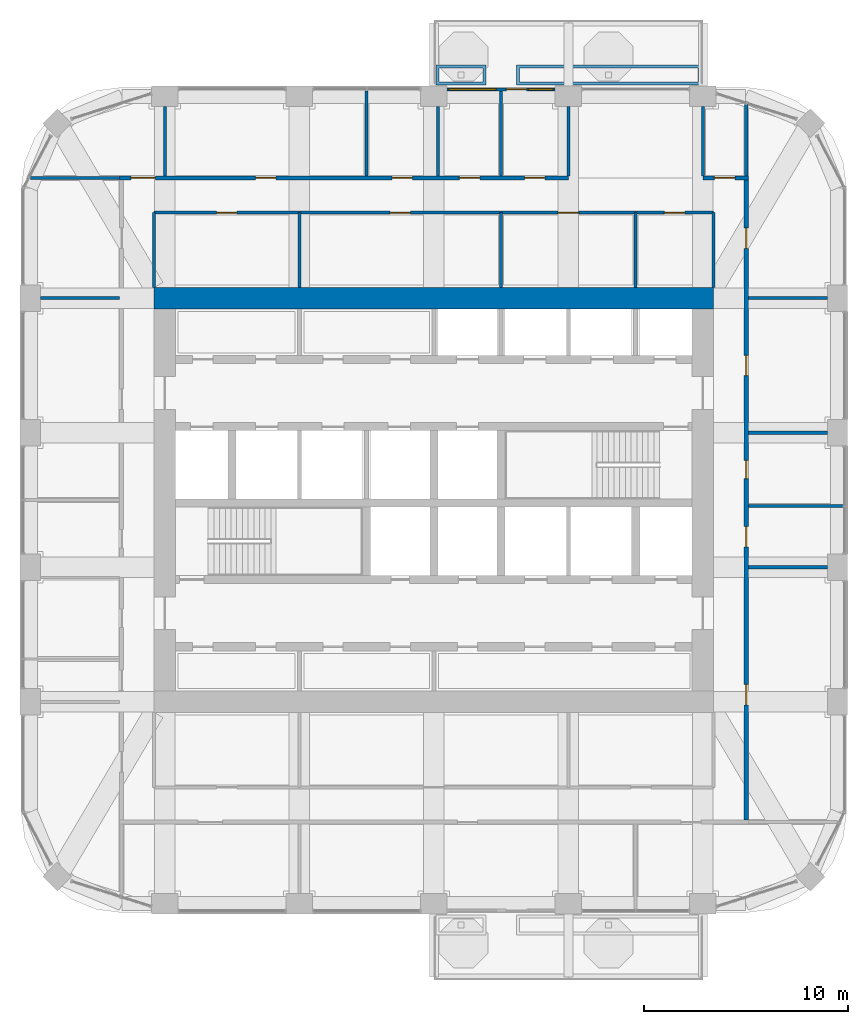
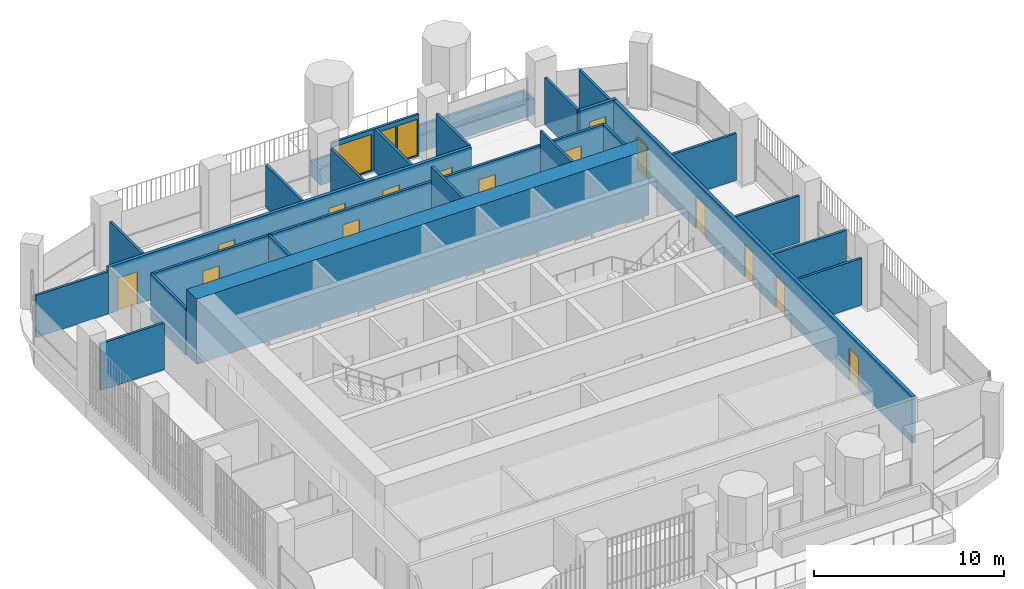
# One storey, part 16 of 21: 26 walls, 16 doors, 2 windows, 18 openings.
"""IFC4 building model written with IfcOpenShell, lengths in metres."""

from ifc_helpers import new_model, si_unit, direction, frame, frame_2d, origin, place, context, subcontext, project, spatial, polyline, rectangle, outline, extrude, material, layer, layer_set, type_object, element, fill, save


model = new_model("IFC4")

# Units and contexts
model_context = context("Model", 3, precision=1e-05, world=origin(), true_north=direction((0.0, 1.0)))
body_context = subcontext(model_context, "Body", "Model", "MODEL_VIEW")
ifc_project = project(units=[si_unit("LENGTHUNIT", "METRE"), si_unit("AREAUNIT", "SQUARE_METRE"), si_unit("VOLUMEUNIT", "CUBIC_METRE"), si_unit("PLANEANGLEUNIT", "RADIAN"), si_unit("MASSUNIT", "GRAM", prefix="KILO")], contexts=[model_context])

# Site, building, storey
site_placement = place(None, origin())
site = spatial("IfcSite", under=ifc_project, at=site_placement, CompositionType="ELEMENT")
building_placement = place(site_placement, origin())
building = spatial("IfcBuilding", under=site, at=building_placement, Name="Cobogo Forest Laboratory Tower", CompositionType="ELEMENT")
storey_placement = place(building_placement, frame((0.0, 0.0, 241.800048828125)))
storey = spatial("IfcBuildingStorey", under=building, at=storey_placement, Name="L55", CompositionType="ELEMENT", Elevation=241.800048828125)

# Wall
ifc_material_1 = material(Name="Concrete HA-50 (C50/60)", Category="concrete")
ifc_layer_1 = layer(ifc_material_1, 1.050048828125)
ifc_layer_set_1 = layer_set([ifc_layer_1], Name="CW1050 core outer wall 1050")
wall_type_1 = type_object("IfcWallType", Name="CW1050 core outer wall 1050", PredefinedType="SHEAR", material=ifc_layer_set_1)
wall_1_placement = place(storey_placement, frame((40.125, 33.0, 0.0), z_axis=(0.0, 0.0, 1.0), x_axis=(-1.0, 0.0, 0.0)))
element("IfcWall", 1, at=wall_1_placement, inside=storey, type_object=wall_type_1, Name="Core wall CO-N L55", PredefinedType="SHEAR", context=body_context, shape_type="SweptSolid", body=[
    extrude(rectangle(XDim=27.449951171875, YDim=1.050048828125, at=frame_2d((13.72509765625, 0.0))), origin(), (0.0, 0.0, 1.0), 4.199951171875),
])

# Wall, openings, door, windows
ifc_material_2 = material(Name="Aluminium framed glazed screen", Category="aluminium")
ifc_layer_2 = layer(ifc_material_2, 0.14990234375)
ifc_layer_set_2 = layer_set([ifc_layer_2], Name="GS1 glazed door screen 150")
wall_type_2 = type_object("IfcWallType", Name="GS1 glazed door screen 150", PredefinedType="SOLIDWALL", material=ifc_layer_set_2)
wall_2_placement = place(storey_placement, frame((32.35009765625, 43.25, 0.0), z_axis=(0.0, 0.0, 1.0), x_axis=(-1.0, 0.0, 0.0)))
wall_2 = element("IfcWall", 2, at=wall_2_placement, inside=storey, type_object=wall_type_2, Name="Door screen BAL-N1 L55", PredefinedType="SOLIDWALL", context=body_context, shape_type="SweptSolid", body=[
    extrude(rectangle(XDim=5.300048828125, YDim=0.14990234375, at=frame_2d((2.64990234375, 0.0))), origin(), (0.0, 0.0, 1.0), 2.699951171875),
])
opening_1_placement = place(wall_2_placement, frame((1.39990234375, 0.0, 0.0)))
opening_1 = element("IfcOpeningElement", 3, at=opening_1_placement, cuts=wall_2, Name="Opening L55-D49", PredefinedType="OPENING", context=body_context, shape_type="SweptSolid", body=[
    extrude(rectangle(XDim=1.0, YDim=2.39990234375, at=frame_2d((0.5, 1.199951171875))), frame((0.0, 0.0849609375, 0.0), z_axis=(0.0, -1.0, 0.0), x_axis=(1.0, 0.0, 0.0)), (0.0, 0.0, 1.0), 0.169921875),
])
opening_2_placement = place(wall_2_placement, frame((0.10009765625, 0.0, 0.10009765625)))
opening_2 = element("IfcOpeningElement", 4, at=opening_2_placement, cuts=wall_2, Name="Opening L55-W04", PredefinedType="OPENING", context=body_context, shape_type="SweptSolid", body=[
    extrude(rectangle(XDim=1.199951171875, YDim=2.300048828125, at=frame_2d((0.60009765625, 1.14990234375))), frame((0.0, 0.0849609375, 0.0), z_axis=(0.0, -1.0, 0.0), x_axis=(1.0, 0.0, 0.0)), (0.0, 0.0, 1.0), 0.169921875),
])
opening_3_placement = place(wall_2_placement, frame((2.89990234375, 0.0, 0.10009765625)))
opening_3 = element("IfcOpeningElement", 5, at=opening_3_placement, cuts=wall_2, Name="Opening L55-W03", PredefinedType="OPENING", context=body_context, shape_type="SweptSolid", body=[
    extrude(rectangle(XDim=2.300048828125, YDim=2.300048828125, at=frame_2d((1.14990234375, 1.14990234375))), frame((0.0, 0.0849609375, 0.0), z_axis=(0.0, -1.0, 0.0), x_axis=(1.0, 0.0, 0.0)), (0.0, 0.0, 1.0), 0.169921875),
])
ifc_material_3 = material(Name="Aluminium glazed door", Category="aluminium")
door_type_1 = type_object("IfcDoorType", Name="DB1 balcony door 1000 glazed", OperationType="SINGLE_SWING_LEFT", PredefinedType="DOOR", material=ifc_material_3)
door_1_placement = place(opening_1_placement, origin())
door_1 = element("IfcDoor", 6, at=door_1_placement, inside=storey, type_object=door_type_1, Name="Door L55-BAL-N1", OperationType="SINGLE_SWING_LEFT", OverallHeight=2.39990234375, OverallWidth=1.0, PredefinedType="DOOR", context=body_context, shape_type="SweptSolid", body=[
    extrude(rectangle(XDim=1.0, YDim=2.39990234375, at=frame_2d((0.5, 1.199951171875))), frame((0.0, 0.02490234375, 0.0), z_axis=(0.0, -1.0, 0.0), x_axis=(1.0, 0.0, 0.0)), (0.0, 0.0, 1.0), 0.050048828125),
])
fill(opening_1, door_1)
ifc_material_4 = material(Name="Aluminium framed glazing", Category="aluminium")
window_type_1 = type_object("IfcWindowType", Name="WG21 fixed glazed light 2300x2300", PartitioningType="SINGLE_PANEL", PredefinedType="WINDOW", material=ifc_material_4)
window_1_placement = place(opening_3_placement, origin())
window_1 = element("IfcWindow", 7, at=window_1_placement, inside=storey, type_object=window_type_1, Name="Window L55-BAL-N1-2", OverallHeight=2.300048828125, OverallWidth=2.300048828125, PartitioningType="SINGLE_PANEL", PredefinedType="WINDOW", context=body_context, shape_type="SweptSolid", body=[
    extrude(rectangle(XDim=2.300048828125, YDim=2.300048828125, at=frame_2d((1.14990234375, 1.14990234375))), frame((0.0, 0.030029296875, 0.0), z_axis=(0.0, -1.0, 0.0), x_axis=(1.0, 0.0, 0.0)), (0.0, 0.0, 1.0), 0.06005859375),
])
fill(opening_3, window_1)
window_type_2 = type_object("IfcWindowType", Name="WG22 fixed glazed light 1200x2300", PartitioningType="SINGLE_PANEL", PredefinedType="WINDOW", material=ifc_material_4)
window_2_placement = place(opening_2_placement, origin())
window_2 = element("IfcWindow", 8, at=window_2_placement, inside=storey, type_object=window_type_2, Name="Window L55-BAL-N1-1", OverallHeight=2.300048828125, OverallWidth=1.199951171875, PartitioningType="SINGLE_PANEL", PredefinedType="WINDOW", context=body_context, shape_type="SweptSolid", body=[
    extrude(rectangle(XDim=1.199951171875, YDim=2.300048828125, at=frame_2d((0.60009765625, 1.14990234375))), frame((0.0, 0.030029296875, 0.0), z_axis=(0.0, -1.0, 0.0), x_axis=(1.0, 0.0, 0.0)), (0.0, 0.0, 1.0), 0.06005859375),
])
fill(opening_2, window_2)

# Wall, openings, doors
ifc_material_5 = material(Name="Gypsum board on steel studs", Category="steel")
ifc_layer_3 = layer(ifc_material_5, 0.14990234375)
ifc_layer_set_3 = layer_set([ifc_layer_3], Name="PT1 laboratory partition 150")
wall_type_3 = type_object("IfcWallType", Name="PT1 laboratory partition 150", PredefinedType="PARTITIONING", material=ifc_layer_set_3)
wall_3_placement = place(storey_placement, frame((12.675048828125, 37.199951171875, 0.0), z_axis=(0.0, 0.0, 1.0), x_axis=(1.0, 0.0, 0.0)))
wall_3 = element("IfcWall", 9, at=wall_3_placement, inside=storey, type_object=wall_type_3, Name="Partition CSTRIP-N L55", PredefinedType="PARTITIONING", context=body_context, shape_type="SweptSolid", body=[
    extrude(rectangle(XDim=27.449951171875, YDim=0.14990234375, at=frame_2d((13.72509765625, 0.0))), origin(), (0.0, 0.0, 1.0), 3.0),
])
opening_4_placement = place(wall_3_placement, frame((3.0625, 0.0, 0.0)))
opening_4 = element("IfcOpeningElement", 10, at=opening_4_placement, cuts=wall_3, Name="Opening L55-D39", PredefinedType="OPENING", context=body_context, shape_type="SweptSolid", body=[
    extrude(rectangle(XDim=1.0, YDim=2.10009765625, at=frame_2d((0.5, 1.050048828125))), frame((0.0, 0.0849609375, 0.0), z_axis=(0.0, -1.0, 0.0), x_axis=(1.0, 0.0, 0.0)), (0.0, 0.0, 1.0), 0.169921875),
])
opening_5_placement = place(wall_3_placement, frame((11.574951171875, 0.0, 0.0)))
opening_5 = element("IfcOpeningElement", 11, at=opening_5_placement, cuts=wall_3, Name="Opening L55-D40", PredefinedType="OPENING", context=body_context, shape_type="SweptSolid", body=[
    extrude(rectangle(XDim=1.0, YDim=2.10009765625, at=frame_2d((0.5, 1.050048828125))), frame((0.0, 0.0849609375, 0.0), z_axis=(0.0, -1.0, 0.0), x_axis=(1.0, 0.0, 0.0)), (0.0, 0.0, 1.0), 0.169921875),
])
opening_6_placement = place(wall_3_placement, frame((19.824951171875, 0.0, 0.0)))
opening_6 = element("IfcOpeningElement", 12, at=opening_6_placement, cuts=wall_3, Name="Opening L55-D41", PredefinedType="OPENING", context=body_context, shape_type="SweptSolid", body=[
    extrude(rectangle(XDim=1.0, YDim=2.10009765625, at=frame_2d((0.5, 1.050048828125))), frame((0.0, 0.0849609375, 0.0), z_axis=(0.0, -1.0, 0.0), x_axis=(1.0, 0.0, 0.0)), (0.0, 0.0, 1.0), 0.169921875),
])
opening_7_placement = place(wall_3_placement, frame((25.03759765625, 0.0, 0.0)))
opening_7 = element("IfcOpeningElement", 13, at=opening_7_placement, cuts=wall_3, Name="Opening L55-D42", PredefinedType="OPENING", context=body_context, shape_type="SweptSolid", body=[
    extrude(rectangle(XDim=1.0, YDim=2.10009765625, at=frame_2d((0.5, 1.050048828125))), frame((0.0, 0.0849609375, 0.0), z_axis=(0.0, -1.0, 0.0), x_axis=(1.0, 0.0, 0.0)), (0.0, 0.0, 1.0), 0.169921875),
])
ifc_material_6 = material(Name="Timber fire door", Category="wood")
door_type_2 = type_object("IfcDoorType", Name="FD2 fire door 1000 EI2 30", OperationType="SINGLE_SWING_LEFT", PredefinedType="DOOR", material=ifc_material_6)
door_2_placement = place(opening_4_placement, origin())
door_2 = element("IfcDoor", 14, at=door_2_placement, inside=storey, type_object=door_type_2, Name="Door L55-CSN1", OperationType="SINGLE_SWING_LEFT", OverallHeight=2.10009765625, OverallWidth=1.0, PredefinedType="DOOR", context=body_context, shape_type="SweptSolid", body=[
    extrude(rectangle(XDim=1.0, YDim=2.10009765625, at=frame_2d((0.5, 1.050048828125))), frame((0.0, 0.02490234375, 0.0), z_axis=(0.0, -1.0, 0.0), x_axis=(1.0, 0.0, 0.0)), (0.0, 0.0, 1.0), 0.050048828125),
])
fill(opening_4, door_2)
door_3_placement = place(opening_5_placement, origin())
door_3 = element("IfcDoor", 15, at=door_3_placement, inside=storey, type_object=door_type_2, Name="Door L55-CSN2", OperationType="SINGLE_SWING_LEFT", OverallHeight=2.10009765625, OverallWidth=1.0, PredefinedType="DOOR", context=body_context, shape_type="SweptSolid", body=[
    extrude(rectangle(XDim=1.0, YDim=2.10009765625, at=frame_2d((0.5, 1.050048828125))), frame((0.0, 0.02490234375, 0.0), z_axis=(0.0, -1.0, 0.0), x_axis=(1.0, 0.0, 0.0)), (0.0, 0.0, 1.0), 0.050048828125),
])
fill(opening_5, door_3)
door_4_placement = place(opening_6_placement, origin())
door_4 = element("IfcDoor", 16, at=door_4_placement, inside=storey, type_object=door_type_2, Name="Door L55-CSN3", OperationType="SINGLE_SWING_RIGHT", OverallHeight=2.10009765625, OverallWidth=1.0, PredefinedType="DOOR", context=body_context, shape_type="SweptSolid", body=[
    extrude(rectangle(XDim=1.0, YDim=2.10009765625, at=frame_2d((0.5, 1.050048828125))), frame((0.0, 0.02490234375, 0.0), z_axis=(0.0, -1.0, 0.0), x_axis=(1.0, 0.0, 0.0)), (0.0, 0.0, 1.0), 0.050048828125),
])
fill(opening_6, door_4)
door_5_placement = place(opening_7_placement, origin())
door_5 = element("IfcDoor", 17, at=door_5_placement, inside=storey, type_object=door_type_2, Name="Door L55-CSN4", OperationType="SINGLE_SWING_RIGHT", OverallHeight=2.10009765625, OverallWidth=1.0, PredefinedType="DOOR", context=body_context, shape_type="SweptSolid", body=[
    extrude(rectangle(XDim=1.0, YDim=2.10009765625, at=frame_2d((0.5, 1.050048828125))), frame((0.0, 0.02490234375, 0.0), z_axis=(0.0, -1.0, 0.0), x_axis=(1.0, 0.0, 0.0)), (0.0, 0.0, 1.0), 0.050048828125),
])
fill(opening_7, door_5)

# Walls
for number, where, z_axis, x_axis, name in (
    (18, (12.675048828125, 33.52490234375, 0.0), (0.0, 0.0, 1.0), (0.0, 1.0, 0.0), "Partition CSTRIP-NW L55"),
    (19, (40.125, 33.52490234375, 0.0), (0.0, 0.0, 1.0), (0.0, 1.0, 0.0), "Partition CSTRIP-NE L55"),
    (20, (19.800048828125, 33.52490234375, 0.0), (0.0, 0.0, 1.0), (0.0, 1.0, 0.0), "Partition CSTRIP-N19.8 L55"),
):
    element("IfcWall", number, at=place(storey_placement, frame(where, z_axis=z_axis, x_axis=x_axis)), inside=storey, type_object=wall_type_3, Name=name, PredefinedType="PARTITIONING", context=body_context, shape_type="SweptSolid", body=[
        extrude(rectangle(XDim=3.675048828125, YDim=0.14990234375, at=frame_2d((1.83740234375, 0.0))), origin(), (0.0, 0.0, 1.0), 3.0),
    ])
for number, where, z_axis, x_axis, name in (
    (21, (29.699951171875, 33.52490234375, 0.0), (0.0, 0.0, 1.0), (0.0, 1.0, 0.0), "Partition CSTRIP-N29.7 L55"),
    (22, (36.300048828125, 33.52490234375, 0.0), (0.0, 0.0, 1.0), (0.0, 1.0, 0.0), "Partition CSTRIP-N36.3 L55"),
):
    element("IfcWall", number, at=place(storey_placement, frame(where, z_axis=z_axis, x_axis=x_axis)), inside=storey, type_object=wall_type_3, Name=name, PredefinedType="PARTITIONING", context=body_context, shape_type="SweptSolid", body=[
        extrude(rectangle(XDim=3.675048828125, YDim=0.14990234375, at=frame_2d((1.83740234375, 0.0))), origin(), (0.0, 0.0, 1.0), 3.89990234375),
    ])
wall_4_placement = place(storey_placement, frame((41.72509765625, 42.4951171875, 0.0), z_axis=(0.0, 0.0, 1.0), x_axis=(0.0, -1.0, 0.0)))
element("IfcWall", 23, at=wall_4_placement, inside=storey, type_object=wall_type_3, Name="Partition PW-NE L55", PredefinedType="PARTITIONING", context=body_context, shape_type="SweptSolid", body=[
    extrude(rectangle(XDim=3.4951171875, YDim=0.14990234375, at=frame_2d((1.74755859375, 0.0))), origin(), (0.0, 0.0, 1.0), 2.699951171875),
])
wall_5_placement = place(storey_placement, frame((6.6025390625, 38.89990234375, 0.0), z_axis=(0.0, 0.0, 1.0), x_axis=(1.0, 0.0, 0.0)))
element("IfcWall", 24, at=wall_5_placement, inside=storey, type_object=wall_type_3, Name="Partition PW-NW L55", PredefinedType="PARTITIONING", context=body_context, shape_type="SweptSolid", body=[
    extrude(rectangle(XDim=4.37255859375, YDim=0.14990234375, at=frame_2d((2.186279296875, 0.0))), origin(), (0.0, 0.0, 1.0), 2.699951171875),
])
wall_6_placement = place(storey_placement, frame((46.469970703125, 22.800048828125, 0.0), z_axis=(0.0, 0.0, 1.0), x_axis=(-1.0, 0.0, 0.0)))
element("IfcWall", 25, at=wall_6_placement, inside=storey, type_object=wall_type_3, Name="Partition SVC-E1-1 L55", PredefinedType="PARTITIONING", context=body_context, shape_type="SweptSolid", body=[
    extrude(rectangle(XDim=4.64501953125, YDim=0.14990234375, at=frame_2d((2.322509765625, 0.0))), origin(), (0.0, 0.0, 1.0), 2.699951171875),
])
for number, where, z_axis, x_axis, name in (
    (26, (45.699951171875, 26.39990234375, 0.0), (0.0, 0.0, 1.0), (-1.0, 0.0, 0.0), "Partition SVC-E2-1 L55"),
    (27, (45.699951171875, 19.800048828125, 0.0), (0.0, 0.0, 1.0), (-1.0, 0.0, 0.0), "Partition CUT-E19.8-1 L55"),
    (28, (45.699951171875, 33.0, 0.0), (0.0, 0.0, 1.0), (-1.0, 0.0, 0.0), "Partition CUT-E33-1 L55"),
):
    element("IfcWall", number, at=place(storey_placement, frame(where, z_axis=z_axis, x_axis=x_axis)), inside=storey, type_object=wall_type_3, Name=name, PredefinedType="PARTITIONING", context=body_context, shape_type="SweptSolid", body=[
        extrude(rectangle(XDim=3.875, YDim=0.14990234375, at=frame_2d((1.9375, 0.0))), origin(), (0.0, 0.0, 1.0), 3.0),
    ])
wall_7_placement = place(storey_placement, frame((26.60009765625, 42.39990234375, 0.0), z_axis=(0.0, 0.0, 1.0), x_axis=(0.0, -1.0, 0.0)))
element("IfcWall", 29, at=wall_7_placement, inside=storey, type_object=wall_type_3, Name="Partition SVC-N1-1 L55", PredefinedType="PARTITIONING", context=body_context, shape_type="SweptSolid", body=[
    extrude(rectangle(XDim=3.39990234375, YDim=0.14990234375, at=frame_2d((1.699951171875, 0.0))), origin(), (0.0, 0.0, 1.0), 3.0),
])
wall_8_placement = place(storey_placement, frame((29.699951171875, 43.169921875, 0.0), z_axis=(0.0, 0.0, 1.0), x_axis=(0.0, -1.0, 0.0)))
element("IfcWall", 30, at=wall_8_placement, inside=storey, type_object=wall_type_3, Name="Partition SVC-N2-1 L55", PredefinedType="PARTITIONING", context=body_context, shape_type="SweptSolid", body=[
    extrude(rectangle(XDim=4.169921875, YDim=0.14990234375, at=frame_2d((2.0849609375, 0.0))), origin(), (0.0, 0.0, 1.0), 2.699951171875),
])
wall_9_placement = place(storey_placement, frame((13.199951171875, 42.39990234375, 0.0), z_axis=(0.0, 0.0, 1.0), x_axis=(0.0, -1.0, 0.0)))
element("IfcWall", 31, at=wall_9_placement, inside=storey, type_object=wall_type_3, Name="Partition CUT-N13.2-1 L55", PredefinedType="PARTITIONING", context=body_context, shape_type="SweptSolid", body=[
    extrude(rectangle(XDim=3.39990234375, YDim=0.14990234375, at=frame_2d((1.699951171875, 0.0))), origin(), (0.0, 0.0, 1.0), 3.0),
])
wall_10_placement = place(storey_placement, frame((23.10009765625, 43.169921875, 0.0), z_axis=(0.0, 0.0, 1.0), x_axis=(0.0, -1.0, 0.0)))
element("IfcWall", 32, at=wall_10_placement, inside=storey, type_object=wall_type_3, Name="Partition CUT-N23.1-1 L55", PredefinedType="PARTITIONING", context=body_context, shape_type="SweptSolid", body=[
    extrude(rectangle(XDim=4.169921875, YDim=0.14990234375, at=frame_2d((2.0849609375, 0.0))), origin(), (0.0, 0.0, 1.0), 2.699951171875),
])
for number, where, z_axis, x_axis, name in (
    (33, (33.0, 42.39990234375, 0.0), (0.0, 0.0, 1.0), (0.0, -1.0, 0.0), "Partition CUT-N33-1 L55"),
    (34, (39.60009765625, 42.39990234375, 0.0), (0.0, 0.0, 1.0), (0.0, -1.0, 0.0), "Partition CUT-N39.6-1 L55"),
):
    element("IfcWall", number, at=place(storey_placement, frame(where, z_axis=z_axis, x_axis=x_axis)), inside=storey, type_object=wall_type_3, Name=name, PredefinedType="PARTITIONING", context=body_context, shape_type="SweptSolid", body=[
        extrude(rectangle(XDim=3.39990234375, YDim=0.14990234375, at=frame_2d((1.699951171875, 0.0))), origin(), (0.0, 0.0, 1.0), 3.0),
    ])
wall_11_placement = place(storey_placement, frame((7.10009765625, 33.0, 0.0), z_axis=(0.0, 0.0, 1.0), x_axis=(1.0, 0.0, 0.0)))
element("IfcWall", 35, at=wall_11_placement, inside=storey, type_object=wall_type_3, Name="Partition CUT-W33-1 L55", PredefinedType="PARTITIONING", context=body_context, shape_type="SweptSolid", body=[
    extrude(rectangle(XDim=3.875, YDim=0.14990234375, at=frame_2d((1.9375, 0.0))), origin(), (0.0, 0.0, 1.0), 3.0),
])

# Wall, openings, doors
ifc_layer_4 = layer(ifc_material_5, 0.199951171875)
ifc_layer_set_4 = layer_set([ifc_layer_4], Name="PT2 fire-rated corridor partition 200")
wall_type_4 = type_object("IfcWallType", Name="PT2 fire-rated corridor partition 200", PredefinedType="PARTITIONING", material=ifc_layer_set_4)
wall_12_placement = place(storey_placement, frame((10.97509765625, 38.89990234375, 0.0), z_axis=(0.0, 0.0, 1.0), x_axis=(1.0, 0.0, 0.0)))
wall_12 = element("IfcWall", 36, at=wall_12_placement, inside=storey, type_object=wall_type_4, Name="Partition CORR-N-1 L55", PredefinedType="PARTITIONING", context=body_context, shape_type="SweptSolid", body=[
    extrude(rectangle(XDim=22.02490234375, YDim=0.199951171875, at=frame_2d((11.012451171875, 0.0))), origin(), (0.0, 0.0, 1.0), 3.0),
])
opening_8_placement = place(wall_12_placement, frame((0.5625, 0.0, 0.0)))
opening_8 = element("IfcOpeningElement", 37, at=opening_8_placement, cuts=wall_12, Name="Opening L55-D43", PredefinedType="OPENING", context=body_context, shape_type="SweptSolid", body=[
    extrude(rectangle(XDim=1.199951171875, YDim=2.10009765625, at=frame_2d((0.60009765625, 1.050048828125))), frame((0.0, 0.10986328125, 0.0), z_axis=(0.0, -1.0, 0.0), x_axis=(1.0, 0.0, 0.0)), (0.0, 0.0, 1.0), 0.219970703125),
])
opening_9_placement = place(wall_12_placement, frame((6.675048828125, 0.0, 0.0)))
opening_9 = element("IfcOpeningElement", 38, at=opening_9_placement, cuts=wall_12, Name="Opening L55-D44", PredefinedType="OPENING", context=body_context, shape_type="SweptSolid", body=[
    extrude(rectangle(XDim=1.0, YDim=2.10009765625, at=frame_2d((0.5, 1.050048828125))), frame((0.0, 0.10986328125, 0.0), z_axis=(0.0, -1.0, 0.0), x_axis=(1.0, 0.0, 0.0)), (0.0, 0.0, 1.0), 0.219970703125),
])
opening_10_placement = place(wall_12_placement, frame((13.375, 0.0, 0.0)))
opening_10 = element("IfcOpeningElement", 39, at=opening_10_placement, cuts=wall_12, Name="Opening L55-D45", PredefinedType="OPENING", context=body_context, shape_type="SweptSolid", body=[
    extrude(rectangle(XDim=1.0, YDim=2.10009765625, at=frame_2d((0.5, 1.050048828125))), frame((0.0, 0.10986328125, 0.0), z_axis=(0.0, -1.0, 0.0), x_axis=(1.0, 0.0, 0.0)), (0.0, 0.0, 1.0), 0.219970703125),
])
opening_11_placement = place(wall_12_placement, frame((16.675048828125, 0.0, 0.0)))
opening_11 = element("IfcOpeningElement", 40, at=opening_11_placement, cuts=wall_12, Name="Opening L55-D46", PredefinedType="OPENING", context=body_context, shape_type="SweptSolid", body=[
    extrude(rectangle(XDim=1.0, YDim=2.10009765625, at=frame_2d((0.5, 1.050048828125))), frame((0.0, 0.10986328125, 0.0), z_axis=(0.0, -1.0, 0.0), x_axis=(1.0, 0.0, 0.0)), (0.0, 0.0, 1.0), 0.219970703125),
])
opening_12_placement = place(wall_12_placement, frame((19.875, 0.0, 0.0)))
opening_12 = element("IfcOpeningElement", 41, at=opening_12_placement, cuts=wall_12, Name="Opening L55-D47", PredefinedType="OPENING", context=body_context, shape_type="SweptSolid", body=[
    extrude(rectangle(XDim=1.0, YDim=2.10009765625, at=frame_2d((0.5, 1.050048828125))), frame((0.0, 0.10986328125, 0.0), z_axis=(0.0, -1.0, 0.0), x_axis=(1.0, 0.0, 0.0)), (0.0, 0.0, 1.0), 0.219970703125),
])
ifc_material_7 = material(Name="Timber door", Category="wood")
door_type_3 = type_object("IfcDoorType", Name="D2 laboratory door 1200 unequal pair", OperationType="DOUBLE_DOOR_SINGLE_SWING", PredefinedType="DOOR", material=ifc_material_7)
door_6_placement = place(opening_8_placement, origin())
door_6 = element("IfcDoor", 42, at=door_6_placement, inside=storey, type_object=door_type_3, Name="Door L55-N1", OperationType="DOUBLE_DOOR_SINGLE_SWING", OverallHeight=2.10009765625, OverallWidth=1.199951171875, PredefinedType="DOOR", context=body_context, shape_type="SweptSolid", body=[
    extrude(rectangle(XDim=1.199951171875, YDim=2.10009765625, at=frame_2d((0.60009765625, 1.050048828125))), frame((0.0, 0.02490234375, 0.0), z_axis=(0.0, -1.0, 0.0), x_axis=(1.0, 0.0, 0.0)), (0.0, 0.0, 1.0), 0.050048828125),
])
fill(opening_8, door_6)
door_7_placement = place(opening_9_placement, origin())
door_7 = element("IfcDoor", 43, at=door_7_placement, inside=storey, type_object=door_type_2, Name="Door L55-N2", OperationType="SINGLE_SWING_LEFT", OverallHeight=2.10009765625, OverallWidth=1.0, PredefinedType="DOOR", context=body_context, shape_type="SweptSolid", body=[
    extrude(rectangle(XDim=1.0, YDim=2.10009765625, at=frame_2d((0.5, 1.050048828125))), frame((0.0, 0.02490234375, 0.0), z_axis=(0.0, -1.0, 0.0), x_axis=(1.0, 0.0, 0.0)), (0.0, 0.0, 1.0), 0.050048828125),
])
fill(opening_9, door_7)
door_8_placement = place(opening_10_placement, origin())
door_8 = element("IfcDoor", 44, at=door_8_placement, inside=storey, type_object=door_type_2, Name="Door L55-MTG", OperationType="SINGLE_SWING_RIGHT", OverallHeight=2.10009765625, OverallWidth=1.0, PredefinedType="DOOR", context=body_context, shape_type="SweptSolid", body=[
    extrude(rectangle(XDim=1.0, YDim=2.10009765625, at=frame_2d((0.5, 1.050048828125))), frame((0.0, 0.02490234375, 0.0), z_axis=(0.0, -1.0, 0.0), x_axis=(1.0, 0.0, 0.0)), (0.0, 0.0, 1.0), 0.050048828125),
])
fill(opening_10, door_8)
door_9_placement = place(opening_11_placement, origin())
door_9 = element("IfcDoor", 45, at=door_9_placement, inside=storey, type_object=door_type_2, Name="Door L55-PAN", OperationType="SINGLE_SWING_RIGHT", OverallHeight=2.10009765625, OverallWidth=1.0, PredefinedType="DOOR", context=body_context, shape_type="SweptSolid", body=[
    extrude(rectangle(XDim=1.0, YDim=2.10009765625, at=frame_2d((0.5, 1.050048828125))), frame((0.0, 0.02490234375, 0.0), z_axis=(0.0, -1.0, 0.0), x_axis=(1.0, 0.0, 0.0)), (0.0, 0.0, 1.0), 0.050048828125),
])
fill(opening_11, door_9)
door_10_placement = place(opening_12_placement, origin())
door_10 = element("IfcDoor", 46, at=door_10_placement, inside=storey, type_object=door_type_2, Name="Door L55-N3", OperationType="SINGLE_SWING_RIGHT", OverallHeight=2.10009765625, OverallWidth=1.0, PredefinedType="DOOR", context=body_context, shape_type="SweptSolid", body=[
    extrude(rectangle(XDim=1.0, YDim=2.10009765625, at=frame_2d((0.5, 1.050048828125))), frame((0.0, 0.02490234375, 0.0), z_axis=(0.0, -1.0, 0.0), x_axis=(1.0, 0.0, 0.0)), (0.0, 0.0, 1.0), 0.050048828125),
])
fill(opening_12, door_10)

# Wall, opening, door
wall_13_placement = place(storey_placement, frame((39.60009765625, 38.89990234375, 0.0), z_axis=(0.0, 0.0, 1.0), x_axis=(1.0, 0.0, 0.0)))
wall_13 = element("IfcWall", 47, at=wall_13_placement, inside=storey, type_object=wall_type_4, Name="Partition CORR-N-2 L55", PredefinedType="PARTITIONING", context=body_context, shape_type="SweptSolid", body=[
    extrude(rectangle(XDim=2.224853515625, YDim=0.199951171875, at=frame_2d((1.1123046875, 0.0))), origin(), (0.0, 0.0, 1.0), 3.0),
])
opening_13_placement = place(wall_13_placement, frame((0.5625, 0.0, 0.0)))
opening_13 = element("IfcOpeningElement", 48, at=opening_13_placement, cuts=wall_13, Name="Opening L55-D48", PredefinedType="OPENING", context=body_context, shape_type="SweptSolid", body=[
    extrude(rectangle(XDim=1.0, YDim=2.10009765625, at=frame_2d((0.5, 1.050048828125))), frame((0.0, 0.10986328125, 0.0), z_axis=(0.0, -1.0, 0.0), x_axis=(1.0, 0.0, 0.0)), (0.0, 0.0, 1.0), 0.219970703125),
])
door_11_placement = place(opening_13_placement, origin())
door_11 = element("IfcDoor", 49, at=door_11_placement, inside=storey, type_object=door_type_2, Name="Door L55-N5", OperationType="SINGLE_SWING_LEFT", OverallHeight=2.10009765625, OverallWidth=1.0, PredefinedType="DOOR", context=body_context, shape_type="SweptSolid", body=[
    extrude(rectangle(XDim=1.0, YDim=2.10009765625, at=frame_2d((0.5, 1.050048828125))), frame((0.0, 0.02490234375, 0.0), z_axis=(0.0, -1.0, 0.0), x_axis=(1.0, 0.0, 0.0)), (0.0, 0.0, 1.0), 0.050048828125),
])
fill(opening_13, door_11)

# Wall, openings, doors
wall_14_placement = place(storey_placement, frame((41.72509765625, 7.39990234375, 0.0), z_axis=(0.0, 0.0, 1.0), x_axis=(0.0, 1.0, 0.0)))
wall_14 = element("IfcWall", 50, at=wall_14_placement, inside=storey, type_object=wall_type_4, Name="Partition CORR-E L55", PredefinedType="PARTITIONING", context=body_context, shape_type="SweptSolid", body=[
    extrude(rectangle(XDim=31.400146484375, YDim=0.199951171875, at=frame_2d((15.7001953125, 0.0))), origin(), (0.0, 0.0, 1.0), 3.0),
])
opening_14_placement = place(wall_14_placement, frame((5.64990234375, 0.0, 0.0)))
opening_14 = element("IfcOpeningElement", 51, at=opening_14_placement, cuts=wall_14, Name="Opening L55-D09", PredefinedType="OPENING", context=body_context, shape_type="SweptSolid", body=[
    extrude(rectangle(XDim=1.0, YDim=2.10009765625, at=frame_2d((0.5, 1.050048828125))), frame((0.0, 0.10986328125, 0.0), z_axis=(0.0, -1.0, 0.0), x_axis=(1.0, 0.0, 0.0)), (0.0, 0.0, 1.0), 0.219970703125),
])
opening_15_placement = place(wall_14_placement, frame((13.39990234375, 0.0, 0.0)))
opening_15 = element("IfcOpeningElement", 52, at=opening_15_placement, cuts=wall_14, Name="Opening L55-D26", PredefinedType="OPENING", context=body_context, shape_type="SweptSolid", body=[
    extrude(rectangle(XDim=1.0, YDim=2.10009765625, at=frame_2d((0.5, 1.050048828125))), frame((0.0, 0.10986328125, 0.0), z_axis=(0.0, -1.0, 0.0), x_axis=(1.0, 0.0, 0.0)), (0.0, 0.0, 1.0), 0.219970703125),
])
opening_16_placement = place(wall_14_placement, frame((16.75, 0.0, 0.0)))
opening_16 = element("IfcOpeningElement", 53, at=opening_16_placement, cuts=wall_14, Name="Opening L55-D27", PredefinedType="OPENING", context=body_context, shape_type="SweptSolid", body=[
    extrude(rectangle(XDim=0.89990234375, YDim=2.10009765625, at=frame_2d((0.449951171875, 1.050048828125))), frame((0.0, 0.10986328125, 0.0), z_axis=(0.0, -1.0, 0.0), x_axis=(1.0, 0.0, 0.0)), (0.0, 0.0, 1.0), 0.219970703125),
])
opening_17_placement = place(wall_14_placement, frame((21.800048828125, 0.0, 0.0)))
opening_17 = element("IfcOpeningElement", 54, at=opening_17_placement, cuts=wall_14, Name="Opening L55-D32", PredefinedType="OPENING", context=body_context, shape_type="SweptSolid", body=[
    extrude(rectangle(XDim=1.0, YDim=2.10009765625, at=frame_2d((0.5, 1.050048828125))), frame((0.0, 0.10986328125, 0.0), z_axis=(0.0, -1.0, 0.0), x_axis=(1.0, 0.0, 0.0)), (0.0, 0.0, 1.0), 0.219970703125),
])
opening_18_placement = place(wall_14_placement, frame((28.050048828125, 0.0, 0.0)))
opening_18 = element("IfcOpeningElement", 55, at=opening_18_placement, cuts=wall_14, Name="Opening L55-D38", PredefinedType="OPENING", context=body_context, shape_type="SweptSolid", body=[
    extrude(rectangle(XDim=1.0, YDim=2.10009765625, at=frame_2d((0.5, 1.050048828125))), frame((0.0, 0.10986328125, 0.0), z_axis=(0.0, -1.0, 0.0), x_axis=(1.0, 0.0, 0.0)), (0.0, 0.0, 1.0), 0.219970703125),
])
ifc_material_8 = material(Name="Steel fire door", Category="steel")
door_type_4 = type_object("IfcDoorType", Name="FD1 fire door 1000 EI2 60", OperationType="SINGLE_SWING_LEFT", PredefinedType="DOOR", material=ifc_material_8)
door_12_placement = place(opening_15_placement, origin())
door_12 = element("IfcDoor", 56, at=door_12_placement, inside=storey, type_object=door_type_4, Name="Door L55-ELEC", OperationType="SINGLE_SWING_LEFT", OverallHeight=2.10009765625, OverallWidth=1.0, PredefinedType="DOOR", context=body_context, shape_type="SweptSolid", body=[
    extrude(rectangle(XDim=1.0, YDim=2.10009765625, at=frame_2d((0.5, 1.050048828125))), frame((0.0, 0.02490234375, 0.0), z_axis=(0.0, -1.0, 0.0), x_axis=(1.0, 0.0, 0.0)), (0.0, 0.0, 1.0), 0.050048828125),
])
fill(opening_15, door_12)
door_13_placement = place(opening_14_placement, origin())
door_13 = element("IfcDoor", 57, at=door_13_placement, inside=storey, type_object=door_type_2, Name="Door L55-E1", OperationType="SINGLE_SWING_LEFT", OverallHeight=2.10009765625, OverallWidth=1.0, PredefinedType="DOOR", context=body_context, shape_type="SweptSolid", body=[
    extrude(rectangle(XDim=1.0, YDim=2.10009765625, at=frame_2d((0.5, 1.050048828125))), frame((0.0, 0.02490234375, 0.0), z_axis=(0.0, -1.0, 0.0), x_axis=(1.0, 0.0, 0.0)), (0.0, 0.0, 1.0), 0.050048828125),
])
fill(opening_14, door_13)
door_14_placement = place(opening_17_placement, origin())
door_14 = element("IfcDoor", 58, at=door_14_placement, inside=storey, type_object=door_type_2, Name="Door L55-E2", OperationType="SINGLE_SWING_RIGHT", OverallHeight=2.10009765625, OverallWidth=1.0, PredefinedType="DOOR", context=body_context, shape_type="SweptSolid", body=[
    extrude(rectangle(XDim=1.0, YDim=2.10009765625, at=frame_2d((0.5, 1.050048828125))), frame((0.0, 0.02490234375, 0.0), z_axis=(0.0, -1.0, 0.0), x_axis=(1.0, 0.0, 0.0)), (0.0, 0.0, 1.0), 0.050048828125),
])
fill(opening_17, door_14)
door_15_placement = place(opening_18_placement, origin())
door_15 = element("IfcDoor", 59, at=door_15_placement, inside=storey, type_object=door_type_2, Name="Door L55-E3", OperationType="SINGLE_SWING_RIGHT", OverallHeight=2.10009765625, OverallWidth=1.0, PredefinedType="DOOR", context=body_context, shape_type="SweptSolid", body=[
    extrude(rectangle(XDim=1.0, YDim=2.10009765625, at=frame_2d((0.5, 1.050048828125))), frame((0.0, 0.02490234375, 0.0), z_axis=(0.0, -1.0, 0.0), x_axis=(1.0, 0.0, 0.0)), (0.0, 0.0, 1.0), 0.050048828125),
])
fill(opening_18, door_15)
door_type_5 = type_object("IfcDoorType", Name="FD4 riser access door 900 EI2 60", OperationType="SINGLE_SWING_LEFT", PredefinedType="DOOR", material=ifc_material_8)
door_16_placement = place(opening_16_placement, origin())
door_16 = element("IfcDoor", 60, at=door_16_placement, inside=storey, type_object=door_type_5, Name="Door L55-COMMS", OperationType="SINGLE_SWING_RIGHT", OverallHeight=2.10009765625, OverallWidth=0.89990234375, PredefinedType="DOOR", context=body_context, shape_type="SweptSolid", body=[
    extrude(rectangle(XDim=0.89990234375, YDim=2.10009765625, at=frame_2d((0.449951171875, 1.050048828125))), frame((0.0, 0.02490234375, 0.0), z_axis=(0.0, -1.0, 0.0), x_axis=(1.0, 0.0, 0.0)), (0.0, 0.0, 1.0), 0.050048828125),
])
fill(opening_16, door_16)

# Walls
ifc_material_9 = material(Name="Concrete HA-40 (C40/50)", Category="concrete")
ifc_layer_5 = layer(ifc_material_9, 0.14990234375)
ifc_layer_set_5 = layer_set([ifc_layer_5], Name="Planter box 1000x1050")
wall_type_5 = type_object("IfcWallType", Name="Planter box 1000x1050", PredefinedType="USERDEFINED", material=ifc_layer_set_5)
wall_15_placement = place(storey_placement, origin())
element("IfcWall", 61, at=wall_15_placement, inside=storey, type_object=wall_type_5, Name="Planter BAL-N1-1 L55", ObjectType="PLANTER", PredefinedType="USERDEFINED", context=body_context, shape_type="SweptSolid", body=[
    extrude(outline(polyline([(26.5, 43.449951171875), (28.949951171875, 43.449951171875), (28.949951171875, 44.449951171875), (26.5, 44.449951171875), (26.5, 43.449951171875)]), holes=[polyline([(26.64990234375, 43.60009765625), (28.800048828125, 43.60009765625), (28.800048828125, 44.300048828125), (26.64990234375, 44.300048828125), (26.64990234375, 43.60009765625)])]), origin(), (0.0, 0.0, 1.0), 1.050048828125),
])
wall_16_placement = place(storey_placement, origin())
element("IfcWall", 62, at=wall_16_placement, inside=storey, type_object=wall_type_5, Name="Planter BAL-N1-2 L55", ObjectType="PLANTER", PredefinedType="USERDEFINED", context=body_context, shape_type="SweptSolid", body=[
    extrude(outline(polyline([(30.449951171875, 43.449951171875), (39.5, 43.449951171875), (39.5, 44.449951171875), (30.449951171875, 44.449951171875), (30.449951171875, 43.449951171875)]), holes=[polyline([(30.60009765625, 43.60009765625), (39.35009765625, 43.60009765625), (39.35009765625, 44.300048828125), (30.60009765625, 44.300048828125), (30.60009765625, 43.60009765625)])]), origin(), (0.0, 0.0, 1.0), 1.050048828125),
])

save(model, "model.ifc")
